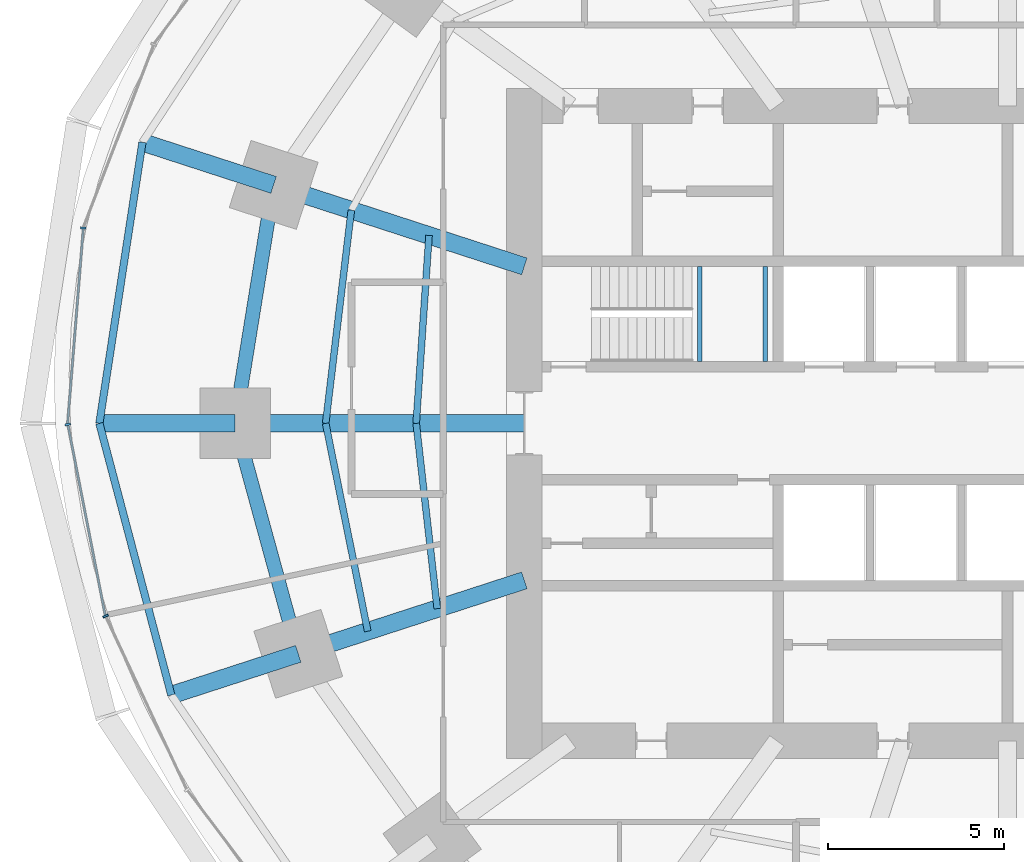
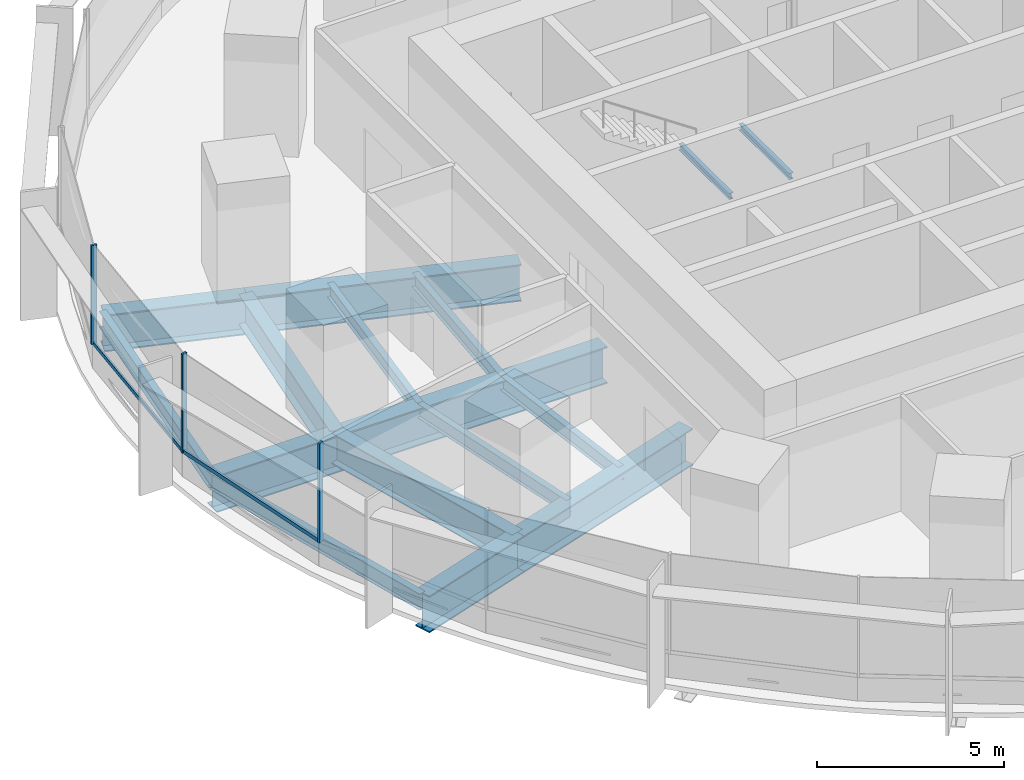
# One storey, part 4 of 15: 16 beams, 5 members, 2 elements without a shape of their own.
"""IFC4 building model written with IfcOpenShell, lengths in metres."""

from ifc_helpers import new_model, si_unit, direction, frame, origin, origin_2d, place, context, subcontext, project, spatial, rectangle, i_section, extrude, material, material_profile, profile_set, type_object, element, aggregate, save


model = new_model("IFC4")

# Units and contexts
model_context = context("Model", 3, precision=1e-05, world=origin(), true_north=direction((0.0, 1.0)))
body_context = subcontext(model_context, "Body", "Model", "MODEL_VIEW")
ifc_project = project(units=[si_unit("LENGTHUNIT", "METRE"), si_unit("AREAUNIT", "SQUARE_METRE"), si_unit("VOLUMEUNIT", "CUBIC_METRE"), si_unit("PLANEANGLEUNIT", "RADIAN"), si_unit("MASSUNIT", "GRAM", prefix="KILO")], contexts=[model_context])

# Site, building, storey
site_placement = place(None, origin())
site = spatial("IfcSite", under=ifc_project, at=site_placement, CompositionType="ELEMENT")
building_placement = place(site_placement, origin())
building = spatial("IfcBuilding", under=site, at=building_placement, Name="Marramba Exchange Tower", CompositionType="ELEMENT")
storey_placement = place(building_placement, frame((0.0, 0.0, 49.0)))
storey = spatial("IfcBuildingStorey", under=building, at=storey_placement, Name="L11", CompositionType="ELEMENT", Elevation=49.0)

# Beams
ifc_material_1 = material(Name="Steel AS/NZS 3679.2 grade 300", Category="steel")
ifc_material_profile_1 = material_profile(ifc_material_1, i_section(OverallWidth=0.5, OverallDepth=1.199951171875, WebThickness=0.01611328125, FlangeThickness=0.0400390625, at=origin_2d()), Name="1200WB455")
ifc_profile_set_1 = profile_set([ifc_material_profile_1], Name="Steel AS/NZS 3679.2 grade 300")
beam_type_1 = type_object("IfcBeamType", Name="Cantilever girder 1200WB455", PredefinedType="BEAM", material=ifc_profile_set_1)
beam_1_placement = place(storey_placement, frame((-20.808349609375, 6.760986328125, -0.760009765625), z_axis=(-0.951058833549, 0.309009862508, 0.0), x_axis=(-0.309009862508, -0.951058833549, 0.0)))
element("IfcBeam", 1, at=beam_1_placement, inside=storey, type_object=beam_type_1, Name="Cantilever girder L11 TC10", PredefinedType="BEAM", context=body_context, shape_type="SweptSolid", body=[
    extrude(i_section(OverallWidth=0.5, OverallDepth=1.199951171875, WebThickness=0.01611328125, FlangeThickness=0.0400390625, at=origin_2d()), origin(), (0.0, 0.0, 1.0), 3.91162109375),
])
beam_2_placement = place(storey_placement, frame((-21.89990234375, 0.0, -0.760009765625), z_axis=(-1.0, 0.0, 0.0), x_axis=(0.0, -1.0, 0.0)))
element("IfcBeam", 2, at=beam_2_placement, inside=storey, type_object=beam_type_1, Name="Cantilever girder L11 TC11", PredefinedType="BEAM", context=body_context, shape_type="SweptSolid", body=[
    extrude(i_section(OverallWidth=0.5, OverallDepth=1.199951171875, WebThickness=0.01611328125, FlangeThickness=0.0400390625, at=origin_2d()), origin(), (0.0, 0.0, 1.0), 3.85009765625),
])
beam_3_placement = place(storey_placement, frame((-20.109375, -6.533935546875, -0.760009765625), z_axis=(-0.951048759501, -0.309040866314, 0.0), x_axis=(0.309040866314, -0.951048759501, 0.0)))
element("IfcBeam", 3, at=beam_3_placement, inside=storey, type_object=beam_type_1, Name="Cantilever girder L11 TC12", PredefinedType="BEAM", context=body_context, shape_type="SweptSolid", body=[
    extrude(i_section(OverallWidth=0.5, OverallDepth=1.199951171875, WebThickness=0.01611328125, FlangeThickness=0.0400390625, at=origin_2d()), origin(), (0.0, 0.0, 1.0), 3.78564453125),
])
ifc_material_2 = material(Name="Steel AS/NZS 3679.1 grade 300", Category="steel")
ifc_material_profile_2 = material_profile(ifc_material_2, i_section(OverallWidth=0.18994140625, OverallDepth=0.4541015625, WebThickness=0.008544921875, FlangeThickness=0.0126953125, FilletRadius=0.011474609375, at=origin_2d()), Name="460UB67.1")
ifc_profile_set_2 = profile_set([ifc_material_profile_2], Name="Steel AS/NZS 3679.1 grade 300")
beam_type_2 = type_object("IfcBeamType", Name="Floor joist 460UB67.1", PredefinedType="JOIST", material=ifc_profile_set_2)
beam_4_placement = place(storey_placement, frame((-16.40283203125, 5.32958984375, -0.386962890625), z_axis=(-0.068096259546, -0.99767875563, 0.0), x_axis=(0.99767875563, -0.068096259546, 0.0)))
element("IfcBeam", 4, at=beam_4_placement, inside=storey, type_object=beam_type_2, Name="Joist L11 bay 10 row 1", PredefinedType="JOIST", context=body_context, shape_type="SweptSolid", body=[
    extrude(i_section(OverallWidth=0.18994140625, OverallDepth=0.4541015625, WebThickness=0.008544921875, FlangeThickness=0.0126953125, FilletRadius=0.011474609375, at=origin_2d()), origin(), (0.0, 0.0, 1.0), 5.342041015625),
])
beam_5_placement = place(storey_placement, frame((-18.60546875, 6.04541015625, -0.386962890625), z_axis=(-0.119523078538, -0.992831422597, 0.0), x_axis=(0.992831422597, -0.119523078538, 0.0)))
element("IfcBeam", 5, at=beam_5_placement, inside=storey, type_object=beam_type_2, Name="Joist L11 bay 10 row 2", PredefinedType="JOIST", context=body_context, shape_type="SweptSolid", body=[
    extrude(i_section(OverallWidth=0.18994140625, OverallDepth=0.4541015625, WebThickness=0.008544921875, FlangeThickness=0.0126953125, FilletRadius=0.011474609375, at=origin_2d()), origin(), (0.0, 0.0, 1.0), 6.089111328125),
])
beam_6_placement = place(storey_placement, frame((-16.7666015625, 0.0, -0.386962890625), z_axis=(0.112888968594, -0.993607609054, 0.0), x_axis=(0.993607609054, 0.112888968594, 0.0)))
element("IfcBeam", 6, at=beam_6_placement, inside=storey, type_object=beam_type_2, Name="Joist L11 bay 11 row 1", PredefinedType="JOIST", context=body_context, shape_type="SweptSolid", body=[
    extrude(i_section(OverallWidth=0.18994140625, OverallDepth=0.4541015625, WebThickness=0.008544921875, FlangeThickness=0.0126953125, FilletRadius=0.011474609375, at=origin_2d()), origin(), (0.0, 0.0, 1.0), 5.28759765625),
])
beam_7_placement = place(storey_placement, frame((-19.333251953125, 0.0, -0.386962890625), z_axis=(0.198489047047, -0.980103105904, 0.0), x_axis=(0.980103105904, 0.198489047047, 0.0)))
element("IfcBeam", 7, at=beam_7_placement, inside=storey, type_object=beam_type_2, Name="Joist L11 bay 11 row 2", PredefinedType="JOIST", context=body_context, shape_type="SweptSolid", body=[
    extrude(i_section(OverallWidth=0.18994140625, OverallDepth=0.4541015625, WebThickness=0.008544921875, FlangeThickness=0.0126953125, FilletRadius=0.011474609375, at=origin_2d()), origin(), (0.0, 0.0, 1.0), 6.013427734375),
])
ifc_material_profile_3 = material_profile(ifc_material_1, i_section(OverallWidth=0.5, OverallDepth=1.199951171875, WebThickness=0.01611328125, FlangeThickness=0.0400390625, at=origin_2d()), Name="1200WB455")
ifc_profile_set_3 = profile_set([ifc_material_profile_3], Name="Steel AS/NZS 3679.2 grade 300")
beam_type_3 = type_object("IfcBeamType", Name="Radial girder 1200WB455", PredefinedType="BEAM", material=ifc_profile_set_3)
beam_8_placement = place(storey_placement, frame((-13.699951171875, 4.451416015625, -0.760009765625), z_axis=(-0.951059990189, 0.309006302624, 0.0), x_axis=(-0.309006302624, -0.951059990189, 0.0)))
element("IfcBeam", 8, at=beam_8_placement, inside=storey, type_object=beam_type_3, Name="Radial girder L11 TC10", PredefinedType="BEAM", context=body_context, shape_type="SweptSolid", body=[
    extrude(i_section(OverallWidth=0.5, OverallDepth=1.199951171875, WebThickness=0.01611328125, FlangeThickness=0.0400390625, at=origin_2d()), origin(), (0.0, 0.0, 1.0), 7.47412109375),
])
beam_9_placement = place(storey_placement, frame((-13.699951171875, 0.0, -0.760009765625), z_axis=(-1.0, 0.0, 0.0), x_axis=(0.0, -1.0, 0.0)))
element("IfcBeam", 9, at=beam_9_placement, inside=storey, type_object=beam_type_3, Name="Radial girder L11 TC11", PredefinedType="BEAM", context=body_context, shape_type="SweptSolid", body=[
    extrude(i_section(OverallWidth=0.5, OverallDepth=1.199951171875, WebThickness=0.01611328125, FlangeThickness=0.0400390625, at=origin_2d()), origin(), (0.0, 0.0, 1.0), 8.199951171875),
])
beam_10_placement = place(storey_placement, frame((-13.699951171875, -4.451416015625, -0.760009765625), z_axis=(-0.951057759669, -0.309013167637, 0.0), x_axis=(0.309013167637, -0.951057759669, 0.0)))
element("IfcBeam", 10, at=beam_10_placement, inside=storey, type_object=beam_type_3, Name="Radial girder L11 TC12", PredefinedType="BEAM", context=body_context, shape_type="SweptSolid", body=[
    extrude(i_section(OverallWidth=0.5, OverallDepth=1.199951171875, WebThickness=0.01611328125, FlangeThickness=0.0400390625, at=origin_2d()), origin(), (0.0, 0.0, 1.0), 6.7392578125),
])
ifc_material_profile_4 = material_profile(ifc_material_1, i_section(OverallWidth=0.39990234375, OverallDepth=1.0, WebThickness=0.01611328125, FlangeThickness=0.031982421875, at=origin_2d()), Name="1000WB322")
ifc_profile_set_4 = profile_set([ifc_material_profile_4], Name="Steel AS/NZS 3679.2 grade 300")
beam_type_4 = type_object("IfcBeamType", Name="Ring beam 1000WB322", PredefinedType="SPANDREL", material=ifc_profile_set_4)
beam_11_placement = place(storey_placement, frame((-20.808349609375, 6.760986328125, -0.659912109375), z_axis=(-0.159384865399, -0.987216523708, 0.0), x_axis=(0.987216523708, -0.159384865399, 0.0)))
element("IfcBeam", 11, at=beam_11_placement, inside=storey, type_object=beam_type_4, Name="Ring beam L11 TC10-TC11", PredefinedType="SPANDREL", context=body_context, shape_type="SweptSolid", body=[
    extrude(i_section(OverallWidth=0.39990234375, OverallDepth=1.0, WebThickness=0.01611328125, FlangeThickness=0.031982421875, at=origin_2d()), origin(), (0.0, 0.0, 1.0), 6.8486328125),
])
beam_12_placement = place(storey_placement, frame((-21.89990234375, 0.0, -0.659912109375), z_axis=(0.264291166956, -0.964442937176, 0.0), x_axis=(0.964442937176, 0.264291166956, 0.0)))
element("IfcBeam", 12, at=beam_12_placement, inside=storey, type_object=beam_type_4, Name="Ring beam L11 TC11-TC12", PredefinedType="SPANDREL", context=body_context, shape_type="SweptSolid", body=[
    extrude(i_section(OverallWidth=0.39990234375, OverallDepth=1.0, WebThickness=0.01611328125, FlangeThickness=0.031982421875, at=origin_2d()), origin(), (0.0, 0.0, 1.0), 6.77490234375),
])
ifc_material_profile_5 = material_profile(ifc_material_2, i_section(OverallWidth=0.208984375, OverallDepth=0.528076171875, WebThickness=0.009521484375, FlangeThickness=0.01318359375, FilletRadius=0.013916015625, at=origin_2d()), Name="530UB82.0")
ifc_profile_set_5 = profile_set([ifc_material_profile_5], Name="Steel AS/NZS 3679.1 grade 300")
beam_type_5 = type_object("IfcBeamType", Name="Slab edge beam 530UB82.0", PredefinedType="SPANDREL", material=ifc_profile_set_5)
beam_13_placement = place(storey_placement, frame((-24.528564453125, 7.9697265625, -0.424072265625), z_axis=(-0.151490591645, -0.988458699513, 0.0), x_axis=(0.988458699513, -0.151490591645, 0.0)))
element("IfcBeam", 13, at=beam_13_placement, inside=storey, type_object=beam_type_5, Name="Slab edge beam L11 TC10-TC11", PredefinedType="SPANDREL", context=body_context, shape_type="SweptSolid", body=[
    extrude(i_section(OverallWidth=0.208984375, OverallDepth=0.528076171875, WebThickness=0.009521484375, FlangeThickness=0.01318359375, FilletRadius=0.013916015625, at=origin_2d()), origin(), (0.0, 0.0, 1.0), 8.062744140625),
])
beam_14_placement = place(storey_placement, frame((-25.75, 0.0, -0.424072265625), z_axis=(0.25601296674, -0.966673347549, 0.0), x_axis=(0.966673347549, 0.25601296674, 0.0)))
element("IfcBeam", 14, at=beam_14_placement, inside=storey, type_object=beam_type_5, Name="Slab edge beam L11 TC11-TC12", PredefinedType="SPANDREL", context=body_context, shape_type="SweptSolid", body=[
    extrude(i_section(OverallWidth=0.208984375, OverallDepth=0.528076171875, WebThickness=0.009521484375, FlangeThickness=0.01318359375, FilletRadius=0.013916015625, at=origin_2d()), origin(), (0.0, 0.0, 1.0), 7.969482421875),
])
ifc_material_profile_6 = material_profile(ifc_material_2, i_section(OverallWidth=0.133056640625, OverallDepth=0.202880859375, WebThickness=0.005859375, FlangeThickness=0.0078125, FilletRadius=0.0087890625, at=origin_2d()), Name="200UB25.4")
ifc_profile_set_6 = profile_set([ifc_material_profile_6], Name="Steel AS/NZS 3679.1 grade 300")
beam_type_6 = type_object("IfcBeamType", Name="Stair landing beam 200UB25.4", PredefinedType="BEAM", material=ifc_profile_set_6)
for number, where, z_axis, x_axis, name in (
    (15, (-8.723388671875, 1.75, 1.798583984375), (0.0, 1.0, 0.0), (-1.0, 0.0, 0.0), "Stair landing beam SLB1 ST1 L11 1"),
    (16, (-6.866455078125, 1.75, 1.798583984375), (0.0, 1.0, 0.0), (-1.0, 0.0, 0.0), "Stair landing beam SLB1 ST1 L11 2"),
):
    element("IfcBeam", number, at=place(storey_placement, frame(where, z_axis=z_axis, x_axis=x_axis)), inside=storey, type_object=beam_type_6, Name=name, PredefinedType="BEAM", context=body_context, shape_type="SweptSolid", body=[
        extrude(i_section(OverallWidth=0.133056640625, OverallDepth=0.202880859375, WebThickness=0.005859375, FlangeThickness=0.0078125, FilletRadius=0.0087890625, at=origin_2d()), origin(), (0.0, 0.0, 1.0), 2.699951171875),
    ])

# Curtain wall, member
ifc_material_3 = material(Name="Aluminium framing, bronze anodised", Category="aluminium")
curtain_wall_type = type_object("IfcCurtainWallType", Name="Trading floor ribbon curtain wall", PredefinedType="USERDEFINED", material=ifc_material_3)
curtain_wall_1_placement = place(storey_placement, origin())
curtain_wall_1 = element("IfcCurtainWall", 17, at=curtain_wall_1_placement, inside=storey, type_object=curtain_wall_type, Name="Curtain wall CW3 L11 F11-F15", ObjectType="RIBBON CURTAIN WALL", PredefinedType="USERDEFINED")
ifc_material_4 = material(Name="Aluminium mullion, bronze anodised", Category="aluminium")
ifc_material_profile_7 = material_profile(ifc_material_4, rectangle(XDim=0.159912109375, YDim=0.06005859375, at=origin_2d()), Name="CW3 mullion 60x160")
ifc_profile_set_7 = profile_set([ifc_material_profile_7], Name="Aluminium mullion, bronze anodised")
member_type_1 = type_object("IfcMemberType", Name="Trading floor ribbon curtain wall mullion", PredefinedType="MULLION", material=ifc_profile_set_7)
member_1_placement = place(storey_placement, frame((-26.203857421875, 5.539306640625, 0.800048828125), z_axis=(0.0, 0.0, 1.0), x_axis=(0.996772736434, -0.080275225953, 0.0)))
member_1 = element("IfcMember", 18, at=member_1_placement, type_object=member_type_1, Name="CW3 mullion 1", PredefinedType="MULLION", context=body_context, shape_type="SweptSolid", body=[
    extrude(rectangle(XDim=0.159912109375, YDim=0.06005859375, at=origin_2d()), origin(), (0.0, 0.0, 1.0), 3.239990234375),
])

# Curtain wall, members
curtain_wall_2_placement = place(storey_placement, origin())
curtain_wall_2 = element("IfcCurtainWall", 19, at=curtain_wall_2_placement, inside=storey, type_object=curtain_wall_type, Name="Curtain wall CW3 L11 F16-F20", ObjectType="RIBBON CURTAIN WALL", PredefinedType="USERDEFINED")
member_2_placement = place(storey_placement, frame((-26.644287109375, -0.029541015625, 0.800048828125), z_axis=(0.0, 0.0, 1.0), x_axis=(0.981346261612, 0.1922485756, 0.0)))
member_2 = element("IfcMember", 20, at=member_2_placement, type_object=member_type_1, Name="CW3 mullion 1", PredefinedType="MULLION", context=body_context, shape_type="SweptSolid", body=[
    extrude(rectangle(XDim=0.159912109375, YDim=0.06005859375, at=origin_2d()), origin(), (0.0, 0.0, 1.0), 3.239990234375),
])
member_3_placement = place(storey_placement, frame((-25.572021484375, -5.46533203125, 0.800048828125), z_axis=(0.0, 0.0, 1.0), x_axis=(0.905906758768, 0.423477206492, 0.0)))
member_3 = element("IfcMember", 21, at=member_3_placement, type_object=member_type_1, Name="CW3 mullion 1", PredefinedType="MULLION", context=body_context, shape_type="SweptSolid", body=[
    extrude(rectangle(XDim=0.159912109375, YDim=0.06005859375, at=origin_2d()), origin(), (0.0, 0.0, 1.0), 3.239990234375),
])

# Member
ifc_material_5 = material(Name="Aluminium transom, bronze anodised", Category="aluminium")
ifc_material_profile_8 = material_profile(ifc_material_5, rectangle(XDim=0.06005859375, YDim=0.1201171875, at=origin_2d()), Name="CW3 transom 60x120")
ifc_profile_set_8 = profile_set([ifc_material_profile_8], Name="Aluminium transom, bronze anodised")
member_type_2 = type_object("IfcMemberType", Name="Trading floor ribbon curtain wall transom", PredefinedType="USERDEFINED", material=ifc_profile_set_8)
member_4_placement = place(storey_placement, frame((-26.206298828125, 5.509521484375, 0.830078125), z_axis=(-0.080256075865, -0.996774278504, 0.0), x_axis=(0.996774278504, -0.080256075865, 0.0)))
member_4 = element("IfcMember", 22, at=member_4_placement, type_object=member_type_2, Name="CW3 sill transom", ObjectType="TRANSOM", PredefinedType="USERDEFINED", context=body_context, shape_type="SweptSolid", body=[
    extrude(rectangle(XDim=0.06005859375, YDim=0.1201171875, at=origin_2d()), origin(), (0.0, 0.0, 1.0), 5.52734375),
])

aggregate(curtain_wall_1, [member_1, member_4])

member_5_placement = place(storey_placement, frame((-26.638427734375, -0.058837890625, 0.830078125), z_axis=(0.192226081646, -0.981350667975, 0.0), x_axis=(0.981350667975, 0.192226081646, 0.0)))
member_5 = element("IfcMember", 23, at=member_5_placement, type_object=member_type_2, Name="CW3 sill transom", ObjectType="TRANSOM", PredefinedType="USERDEFINED", context=body_context, shape_type="SweptSolid", body=[
    extrude(rectangle(XDim=0.06005859375, YDim=0.1201171875, at=origin_2d()), origin(), (0.0, 0.0, 1.0), 5.481689453125),
])

aggregate(curtain_wall_2, [member_2, member_5, member_3])

save(model, "model.ifc")
